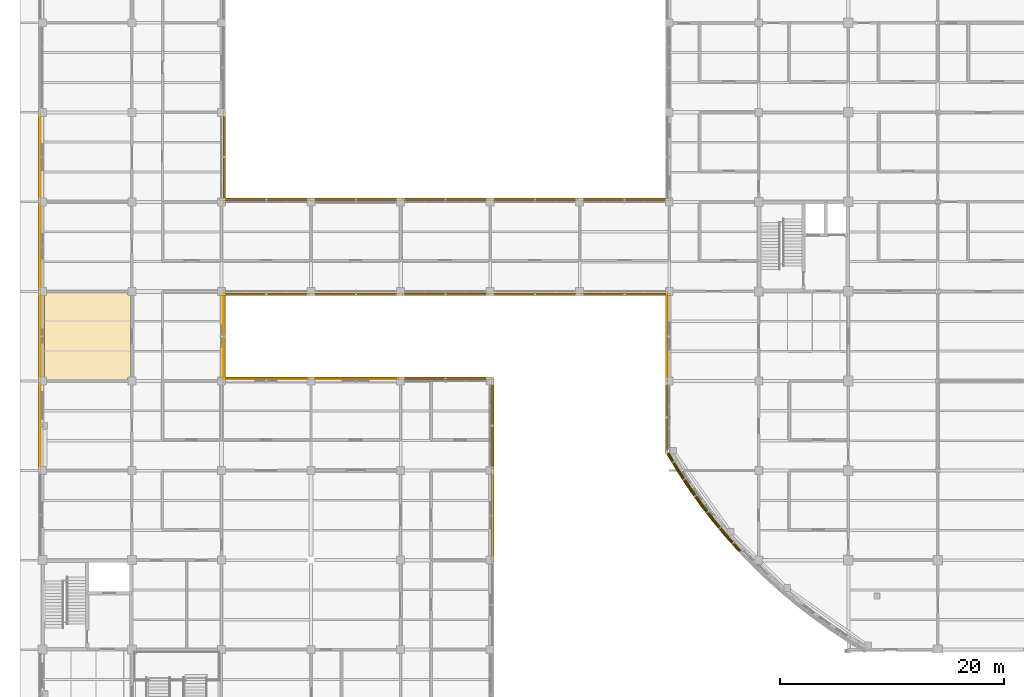
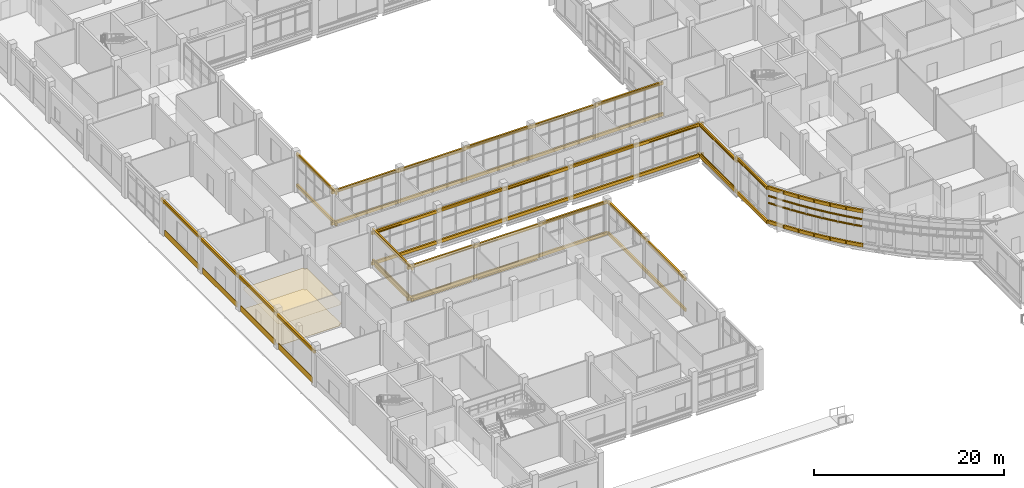
# One storey, part 93 of 105: 64 coverings, 35 shading devices.
"""IFC4 building model written with IfcOpenShell, lengths in metres."""

from ifc_helpers import new_model, si_unit, derived_unit, direction, frame, origin, origin_2d, place, context, subcontext, project, spatial, polyline, rectangle, circle, outline, extrude, material, layer, layer_set, material_profile, profile_set, type_object, element, save


model = new_model("IFC4")

# Units and contexts
model_context = context("Model", 3, precision=1e-05, world=origin(), true_north=direction((0.0, 1.0)))
body_context = subcontext(model_context, "Body", "Model", "MODEL_VIEW")
ifc_project = project(units=[si_unit("LENGTHUNIT", "METRE"), si_unit("AREAUNIT", "SQUARE_METRE"), si_unit("VOLUMEUNIT", "CUBIC_METRE"), si_unit("PLANEANGLEUNIT", "RADIAN"), si_unit("MASSUNIT", "GRAM", prefix="KILO"), derived_unit("THERMALTRANSMITTANCEUNIT", [(si_unit("MASSUNIT", "GRAM", prefix="KILO"), 1), (si_unit("TIMEUNIT", "SECOND"), -3), (si_unit("THERMODYNAMICTEMPERATUREUNIT", "KELVIN"), -1)])], contexts=[model_context])

# Site, building, storey
site_placement = place(None, origin())
site = spatial("IfcSite", under=ifc_project, at=site_placement, CompositionType="ELEMENT")
building_placement = place(site_placement, origin())
building = spatial("IfcBuilding", under=site, at=building_placement, Name="Veyamyaing Civic Hall", CompositionType="ELEMENT")
storey_placement = place(building_placement, origin())
storey = spatial("IfcBuildingStorey", under=building, at=storey_placement, Name="L00", CompositionType="ELEMENT", Elevation=0.0)

# Coverings
ifc_material_1 = material(Name="Buff sandstone ashlar cladding", Category="masonry")
ifc_layer_1 = layer(ifc_material_1, 0.050048828125, Name="Buff sandstone ashlar cladding")
ifc_layer_set_1 = layer_set([ifc_layer_1], Name="Buff sandstone ashlar cladding")
covering_type_1 = type_object("IfcCoveringType", Name="CL-01", PredefinedType="CLADDING", material=ifc_layer_set_1)
for number, where, z_axis, x_axis, name in (
    (1, (-0.180908203125, 36.0, 0.044921875), (0.0, 0.0, 1.0), (0.0, 1.0, 0.0), "Facade spandrel cladding CL-01 L00 W 1.5"),
    (2, (-0.160888671875, 44.0, 0.044921875), (0.0, 0.0, 1.0), (0.0, 1.0, 0.0), "Facade spandrel cladding CL-01 L00 W 1.6"),
    (3, (-0.160888671875, 52.0, 0.044921875), (0.0, 0.0, 1.0), (0.0, 1.0, 0.0), "Facade spandrel cladding CL-01 L00 W 1.7"),
    (4, (-0.160888671875, 60.0, 0.044921875), (0.0, 0.0, 1.0), (0.0, 1.0, 0.0), "Facade spandrel cladding CL-01 L00 W 1.8"),
    (5, (16.160888671875, 44.0, 0.044921875), (0.0, 0.0, 1.0), (0.0, 1.0, 0.0), "Facade spandrel cladding CL-01 L00 E 2.6"),
    (6, (20.0, 40.180908203125, 0.044921875), (0.0, 0.0, 1.0), (1.0, 0.0, 0.0), "Facade spandrel cladding CL-01 L00 N 3.5"),
    (7, (28.0, 40.180908203125, 0.044921875), (0.0, 0.0, 1.0), (1.0, 0.0, 0.0), "Facade spandrel cladding CL-01 L00 N 4.5"),
    (8, (55.826416015625, 44.0, 0.044921875), (0.0, 0.0, 1.0), (0.0, 1.0, 0.0), "Facade spandrel cladding CL-01 L00 W 8.6"),
):
    element("IfcCovering", number, at=place(storey_placement, frame(where, z_axis=z_axis, x_axis=x_axis)), inside=storey, type_object=covering_type_1, Name=name, PredefinedType="CLADDING", context=body_context, shape_type="SweptSolid", body=[
        extrude(rectangle(XDim=7.25, YDim=0.050048828125, at=origin_2d()), origin(), (0.0, 0.0, 1.0), 0.75),
    ])
ifc_material_2 = material(Name="White powder-coated aluminium 6063-T6", Category="aluminium")
ifc_layer_2 = layer(ifc_material_2, 0.2099609375, Name="White powder-coated aluminium 6063-T6")
ifc_layer_set_2 = layer_set([ifc_layer_2], Name="White powder-coated aluminium 6063-T6")
covering_type_2 = type_object("IfcCoveringType", Name="CL-03", PredefinedType="CLADDING", material=ifc_layer_set_2)
for number, where, z_axis, x_axis, name in (
    (9, (56.394775390625, 32.75927734375, 0.27001953125), (0.0, 0.0, 1.0), (0.516106513571, -0.856524411006, 0.0), "Continuous white corner ribbon CL-03 L00 SW.1.1"),
    (10, (56.394775390625, 32.75927734375, 4.64501953125), (0.0, 0.0, 1.0), (0.516106513571, -0.856524411006, 0.0), "Continuous white corner ribbon CL-03 L00 SW.1.2"),
    (11, (57.351318359375, 31.23681640625, 0.27001953125), (0.0, 0.0, 1.0), (0.547771714075, -0.836627843942, 0.0), "Continuous white corner ribbon CL-03 L00 SW.2.1"),
    (12, (57.351318359375, 31.23681640625, 4.64501953125), (0.0, 0.0, 1.0), (0.547771714075, -0.836627843942, 0.0), "Continuous white corner ribbon CL-03 L00 SW.2.2"),
    (13, (58.364013671875, 29.751708984375, 0.27001953125), (0.0, 0.0, 1.0), (0.578671161892, -0.815560964241, 0.0), "Continuous white corner ribbon CL-03 L00 SW.3.1"),
    (14, (58.364013671875, 29.751708984375, 4.64501953125), (0.0, 0.0, 1.0), (0.578671161892, -0.815560964241, 0.0), "Continuous white corner ribbon CL-03 L00 SW.3.2"),
    (15, (59.431396484375, 28.30517578125, 0.27001953125), (0.0, 0.0, 1.0), (0.608761490723, -0.793353292936, 0.0), "Continuous white corner ribbon CL-03 L00 SW.4.1"),
    (16, (59.431396484375, 28.30517578125, 4.64501953125), (0.0, 0.0, 1.0), (0.608761490723, -0.793353292936, 0.0), "Continuous white corner ribbon CL-03 L00 SW.4.2"),
    (17, (60.55224609375, 26.8994140625, 0.27001953125), (0.0, 0.0, 1.0), (0.638000405445, -0.770036026853, 0.0), "Continuous white corner ribbon CL-03 L00 SW.5.1"),
    (18, (60.55224609375, 26.8994140625, 4.64501953125), (0.0, 0.0, 1.0), (0.638000405445, -0.770036026853, 0.0), "Continuous white corner ribbon CL-03 L00 SW.5.2"),
    (19, (61.72509765625, 25.536865234375, 0.27001953125), (0.0, 0.0, 1.0), (0.666346529453, -0.745642208225, 0.0), "Continuous white corner ribbon CL-03 L00 SW.6.1"),
    (20, (61.72509765625, 25.536865234375, 4.64501953125), (0.0, 0.0, 1.0), (0.666346529453, -0.745642208225, 0.0), "Continuous white corner ribbon CL-03 L00 SW.6.2"),
):
    element("IfcCovering", number, at=place(storey_placement, frame(where, z_axis=z_axis, x_axis=x_axis)), inside=storey, type_object=covering_type_2, Name=name, PredefinedType="CLADDING", context=body_context, shape_type="SweptSolid", body=[
        extrude(rectangle(XDim=1.93505859375, YDim=0.2099609375, at=origin_2d()), origin(), (0.0, 0.0, 1.0), 0.419921875),
    ])
for number, where, z_axis, x_axis, name in (
    (21, (-0.239990234375, 36.0, 4.22998046875), (0.0, 0.0, 1.0), (0.0, 1.0, 0.0), "Continuous white head fascia ribbon CL-03 L00 W 1.5"),
    (22, (-0.239990234375, 44.0, 4.2939453125), (0.0, 0.0, 1.0), (0.0, 1.0, 0.0), "Continuous white head fascia ribbon CL-03 L00 W 1.6"),
    (23, (-0.239990234375, 52.0, 4.234130859375), (0.0, 0.0, 1.0), (0.0, 1.0, 0.0), "Continuous white head fascia ribbon CL-03 L00 W 1.7"),
    (24, (-0.239990234375, 60.0, 4.297119140625), (0.0, 0.0, 1.0), (0.0, 1.0, 0.0), "Continuous white head fascia ribbon CL-03 L00 W 1.8"),
    (25, (16.239990234375, 44.0, 4.297119140625), (0.0, 0.0, 1.0), (0.0, 1.0, 0.0), "Continuous white head fascia ribbon CL-03 L00 E 2.6"),
    (26, (16.239990234375, 44.0, 0.280029296875), (0.0, 0.0, 1.0), (0.0, 1.0, 0.0), "Continuous white sill fascia ribbon CL-03 L00 E 2.6"),
    (27, (16.239990234375, 60.0, 4.299072265625), (0.0, 0.0, 1.0), (0.0, 1.0, 0.0), "Continuous white head fascia ribbon CL-03 L00 E 2.8"),
    (28, (16.239990234375, 60.0, 0.280029296875), (0.0, 0.0, 1.0), (0.0, 1.0, 0.0), "Continuous white sill fascia ribbon CL-03 L00 E 2.8"),
    (29, (20.0, 40.239990234375, 4.297119140625), (0.0, 0.0, 1.0), (1.0, 0.0, 0.0), "Continuous white head fascia ribbon CL-03 L00 N 3.5"),
    (30, (20.0, 40.239990234375, 0.280029296875), (0.0, 0.0, 1.0), (1.0, 0.0, 0.0), "Continuous white sill fascia ribbon CL-03 L00 N 3.5"),
    (31, (20.0, 47.760009765625, 4.22998046875), (0.0, 0.0, 1.0), (1.0, 0.0, 0.0), "Continuous white head fascia ribbon CL-03 L00 S 3.7"),
    (32, (20.0, 47.760009765625, 0.280029296875), (0.0, 0.0, 1.0), (1.0, 0.0, 0.0), "Continuous white sill fascia ribbon CL-03 L00 S 3.7"),
    (33, (20.0, 56.239990234375, 4.2939453125), (0.0, 0.0, 1.0), (1.0, 0.0, 0.0), "Continuous white head fascia ribbon CL-03 L00 N 3.7"),
    (34, (20.0, 56.239990234375, 0.280029296875), (0.0, 0.0, 1.0), (1.0, 0.0, 0.0), "Continuous white sill fascia ribbon CL-03 L00 N 3.7"),
    (35, (28.0, 40.239990234375, 4.22998046875), (0.0, 0.0, 1.0), (1.0, 0.0, 0.0), "Continuous white head fascia ribbon CL-03 L00 N 4.5"),
    (36, (28.0, 40.239990234375, 0.280029296875), (0.0, 0.0, 1.0), (1.0, 0.0, 0.0), "Continuous white sill fascia ribbon CL-03 L00 N 4.5"),
    (37, (28.0, 47.760009765625, 4.2939453125), (0.0, 0.0, 1.0), (1.0, 0.0, 0.0), "Continuous white head fascia ribbon CL-03 L00 S 4.7"),
    (38, (28.0, 47.760009765625, 0.280029296875), (0.0, 0.0, 1.0), (1.0, 0.0, 0.0), "Continuous white sill fascia ribbon CL-03 L00 S 4.7"),
    (39, (28.0, 56.239990234375, 4.234130859375), (0.0, 0.0, 1.0), (1.0, 0.0, 0.0), "Continuous white head fascia ribbon CL-03 L00 N 4.7"),
    (40, (28.0, 56.239990234375, 0.280029296875), (0.0, 0.0, 1.0), (1.0, 0.0, 0.0), "Continuous white sill fascia ribbon CL-03 L00 N 4.7"),
    (41, (40.239990234375, 28.0, 4.22998046875), (0.0, 0.0, 1.0), (0.0, 1.0, 0.0), "Continuous white head fascia ribbon CL-03 L00 E 5.4"),
    (42, (40.239990234375, 28.0, 0.280029296875), (0.0, 0.0, 1.0), (0.0, 1.0, 0.0), "Continuous white sill fascia ribbon CL-03 L00 E 5.4"),
    (43, (36.0, 40.239990234375, 4.2939453125), (0.0, 0.0, 1.0), (1.0, 0.0, 0.0), "Continuous white head fascia ribbon CL-03 L00 N 5.5"),
    (44, (36.0, 40.239990234375, 0.280029296875), (0.0, 0.0, 1.0), (1.0, 0.0, 0.0), "Continuous white sill fascia ribbon CL-03 L00 N 5.5"),
    (45, (40.239990234375, 36.0, 4.2939453125), (0.0, 0.0, 1.0), (0.0, 1.0, 0.0), "Continuous white head fascia ribbon CL-03 L00 E 5.5"),
    (46, (40.239990234375, 36.0, 0.280029296875), (0.0, 0.0, 1.0), (0.0, 1.0, 0.0), "Continuous white sill fascia ribbon CL-03 L00 E 5.5"),
    (47, (36.0, 47.760009765625, 4.234130859375), (0.0, 0.0, 1.0), (1.0, 0.0, 0.0), "Continuous white head fascia ribbon CL-03 L00 S 5.7"),
    (48, (36.0, 47.760009765625, 0.280029296875), (0.0, 0.0, 1.0), (1.0, 0.0, 0.0), "Continuous white sill fascia ribbon CL-03 L00 S 5.7"),
    (49, (36.0, 56.239990234375, 4.297119140625), (0.0, 0.0, 1.0), (1.0, 0.0, 0.0), "Continuous white head fascia ribbon CL-03 L00 N 5.7"),
    (50, (36.0, 56.239990234375, 0.280029296875), (0.0, 0.0, 1.0), (1.0, 0.0, 0.0), "Continuous white sill fascia ribbon CL-03 L00 N 5.7"),
    (51, (44.0, 47.760009765625, 4.297119140625), (0.0, 0.0, 1.0), (1.0, 0.0, 0.0), "Continuous white head fascia ribbon CL-03 L00 S 6.7"),
    (52, (44.0, 47.760009765625, 0.280029296875), (0.0, 0.0, 1.0), (1.0, 0.0, 0.0), "Continuous white sill fascia ribbon CL-03 L00 S 6.7"),
    (53, (44.0, 56.239990234375, 4.22998046875), (0.0, 0.0, 1.0), (1.0, 0.0, 0.0), "Continuous white head fascia ribbon CL-03 L00 N 6.7"),
    (54, (44.0, 56.239990234375, 0.280029296875), (0.0, 0.0, 1.0), (1.0, 0.0, 0.0), "Continuous white sill fascia ribbon CL-03 L00 N 6.7"),
    (55, (52.0, 47.760009765625, 4.22998046875), (0.0, 0.0, 1.0), (1.0, 0.0, 0.0), "Continuous white head fascia ribbon CL-03 L00 S 7.7"),
    (56, (52.0, 47.760009765625, 0.280029296875), (0.0, 0.0, 1.0), (1.0, 0.0, 0.0), "Continuous white sill fascia ribbon CL-03 L00 S 7.7"),
    (57, (52.0, 56.239990234375, 4.2939453125), (0.0, 0.0, 1.0), (1.0, 0.0, 0.0), "Continuous white head fascia ribbon CL-03 L00 N 7.7"),
    (58, (52.0, 56.239990234375, 0.280029296875), (0.0, 0.0, 1.0), (1.0, 0.0, 0.0), "Continuous white sill fascia ribbon CL-03 L00 N 7.7"),
):
    element("IfcCovering", number, at=place(storey_placement, frame(where, z_axis=z_axis, x_axis=x_axis)), inside=storey, type_object=covering_type_2, Name=name, PredefinedType="CLADDING", context=body_context, shape_type="SweptSolid", body=[
        extrude(rectangle(XDim=8.360107421875, YDim=0.2099609375, at=origin_2d()), origin(), (0.0, 0.0, 1.0), 0.39990234375),
    ])
for number, where, z_axis, x_axis, name in (
    (59, (55.760009765625, 36.78466796875, 4.655029296875), (0.0, 0.0, 1.0), (0.0, 1.0, 0.0), "Continuous white head fascia ribbon CL-03 L00 W 8.5"),
    (60, (55.760009765625, 36.78466796875, 0.280029296875), (0.0, 0.0, 1.0), (0.0, 1.0, 0.0), "Continuous white sill fascia ribbon CL-03 L00 W 8.5"),
):
    element("IfcCovering", number, at=place(storey_placement, frame(where, z_axis=z_axis, x_axis=x_axis)), inside=storey, type_object=covering_type_2, Name=name, PredefinedType="CLADDING", context=body_context, shape_type="SweptSolid", body=[
        extrude(rectangle(XDim=6.55078125, YDim=0.2099609375, at=origin_2d()), origin(), (0.0, 0.0, 1.0), 0.39990234375),
    ])
for number, where, z_axis, x_axis, name in (
    (61, (55.760009765625, 44.0, 4.22998046875), (0.0, 0.0, 1.0), (0.0, 1.0, 0.0), "Continuous white head fascia ribbon CL-03 L00 W 8.6"),
    (62, (55.760009765625, 44.0, 0.280029296875), (0.0, 0.0, 1.0), (0.0, 1.0, 0.0), "Continuous white sill fascia ribbon CL-03 L00 W 8.6"),
):
    element("IfcCovering", number, at=place(storey_placement, frame(where, z_axis=z_axis, x_axis=x_axis)), inside=storey, type_object=covering_type_2, Name=name, PredefinedType="CLADDING", context=body_context, shape_type="SweptSolid", body=[
        extrude(rectangle(XDim=8.1201171875, YDim=0.2099609375, at=origin_2d()), origin(), (0.0, 0.0, 1.0), 0.39990234375),
    ])
ifc_material_3 = material(Name="Perforated acoustic gypsum ceiling board")
ifc_layer_3 = layer(ifc_material_3, 0.02490234375, Name="Perforated acoustic gypsum ceiling board")
ifc_layer_set_3 = layer_set([ifc_layer_3], Name="Perforated acoustic gypsum ceiling board")
covering_type_3 = type_object("IfcCoveringType", Name="CLG-01", PredefinedType="CEILING", material=ifc_layer_set_3)
covering_1_placement = place(storey_placement, frame((0.0, 0.0, 2.699951171875)))
element("IfcCovering", 63, at=covering_1_placement, inside=storey, type_object=covering_type_3, Name="Acoustic suspended ceiling CLG-01 L00-H04", PredefinedType="CEILING", context=body_context, shape_type="SweptSolid", body=[
    extrude(outline(polyline([(0.3349609375, 47.905029296875), (7.6650390625, 47.905029296875), (7.6650390625, 47.6650390625), (7.905029296875, 47.6650390625), (7.905029296875, 40.3349609375), (7.6650390625, 40.3349609375), (7.6650390625, 40.094970703125), (0.3349609375, 40.094970703125), (0.3349609375, 40.3349609375), (0.155029296875, 40.3349609375), (0.155029296875, 47.6650390625), (0.3349609375, 47.6650390625), (0.3349609375, 47.905029296875)])), origin(), (0.0, 0.0, 1.0), 0.025146484375),
])
ifc_material_4 = material(Name="Polished Mandalay marble and terrazzo flooring", Category="masonry")
ifc_layer_4 = layer(ifc_material_4, 0.030029296875, Name="Polished Mandalay marble and terrazzo flooring")
ifc_layer_set_4 = layer_set([ifc_layer_4], Name="Polished Mandalay marble and terrazzo flooring")
covering_type_4 = type_object("IfcCoveringType", Name="FLR-01", PredefinedType="FLOORING", material=ifc_layer_set_4)
covering_2_placement = place(storey_placement, origin())
element("IfcCovering", 64, at=covering_2_placement, inside=storey, type_object=covering_type_4, Name="Stone and terrazzo flooring FLR-01 L00-H04", PredefinedType="FLOORING", context=body_context, shape_type="SweptSolid", body=[
    extrude(outline(polyline([(0.360107421875, 47.8798828125), (7.639892578125, 47.8798828125), (7.639892578125, 47.639892578125), (7.8798828125, 47.639892578125), (7.8798828125, 40.360107421875), (7.639892578125, 40.360107421875), (7.639892578125, 40.1201171875), (0.360107421875, 40.1201171875), (0.360107421875, 40.360107421875), (0.179931640625, 40.360107421875), (0.179931640625, 47.639892578125), (0.360107421875, 47.639892578125), (0.360107421875, 47.8798828125)])), origin(), (0.0, 0.0, 1.0), 0.030029296875),
])

# Shading devices
ifc_material_profile_1 = material_profile(ifc_material_2, circle(Radius=0.110107421875, at=origin_2d()), Name="SHADE-TUBE-220")
ifc_profile_set_1 = profile_set([ifc_material_profile_1], Name="White powder-coated aluminium 6063-T6")
shading_device_type_1 = type_object("IfcShadingDeviceType", Name="SH-01", PredefinedType="USERDEFINED", material=ifc_profile_set_1)
for number, where, z_axis, x_axis, name in (
    (65, (55.863037109375, 33.486572265625, 2.949951171875), (0.51607516088, -0.856543302071, 0.0), (0.856543302071, 0.51607516088, 0.0), "White corner sunshade ribbon SH-01 L00 SW.1.1"),
    (66, (55.863037109375, 33.486572265625, 3.85009765625), (0.51607516088, -0.856543302071, 0.0), (0.856543302071, 0.51607516088, 0.0), "White corner sunshade ribbon SH-01 L00 SW.1.2"),
):
    element("IfcShadingDevice", number, at=place(storey_placement, frame(where, z_axis=z_axis, x_axis=x_axis)), inside=storey, type_object=shading_device_type_1, Name=name, ObjectType="SUNSHADE", PredefinedType="USERDEFINED", context=body_context, shape_type="SweptSolid", body=[
        extrude(circle(Radius=0.110107421875, at=origin_2d()), origin(), (0.0, 0.0, 1.0), 1.794921875),
    ])
for number, where, z_axis, x_axis, name in (
    (67, (56.79248046875, 31.944091796875, 2.949951171875), (0.547776876079, -0.836624464161, 0.0), (0.836624464161, 0.547776876079, 0.0), "White corner sunshade ribbon SH-01 L00 SW.2.1"),
    (68, (56.79248046875, 31.944091796875, 3.85009765625), (0.547776876079, -0.836624464161, 0.0), (0.836624464161, 0.547776876079, 0.0), "White corner sunshade ribbon SH-01 L00 SW.2.2"),
):
    element("IfcShadingDevice", number, at=place(storey_placement, frame(where, z_axis=z_axis, x_axis=x_axis)), inside=storey, type_object=shading_device_type_1, Name=name, ObjectType="SUNSHADE", PredefinedType="USERDEFINED", context=body_context, shape_type="SweptSolid", body=[
        extrude(circle(Radius=0.110107421875, at=origin_2d()), origin(), (0.0, 0.0, 1.0), 1.795166015625),
    ])
for number, where, z_axis, x_axis, name in (
    (69, (57.779296875, 30.437255859375, 2.949951171875), (0.578726580586, -0.815521639764, 0.0), (0.815521639764, 0.578726580586, 0.0), "White corner sunshade ribbon SH-01 L00 SW.3.1"),
    (70, (57.779296875, 30.437255859375, 3.85009765625), (0.578726580586, -0.815521639764, 0.0), (0.815521639764, 0.578726580586, 0.0), "White corner sunshade ribbon SH-01 L00 SW.3.2"),
):
    element("IfcShadingDevice", number, at=place(storey_placement, frame(where, z_axis=z_axis, x_axis=x_axis)), inside=storey, type_object=shading_device_type_1, Name=name, ObjectType="SUNSHADE", PredefinedType="USERDEFINED", context=body_context, shape_type="SweptSolid", body=[
        extrude(circle(Radius=0.110107421875, at=origin_2d()), origin(), (0.0, 0.0, 1.0), 1.794921875),
    ])
for number, where, z_axis, x_axis, name in (
    (71, (58.821533203125, 28.968505859375, 2.949951171875), (0.608711298549, -0.79339180423, 0.0), (0.79339180423, 0.608711298549, 0.0), "White corner sunshade ribbon SH-01 L00 SW.4.1"),
    (72, (58.821533203125, 28.968505859375, 3.85009765625), (0.608711298549, -0.79339180423, 0.0), (0.79339180423, 0.608711298549, 0.0), "White corner sunshade ribbon SH-01 L00 SW.4.2"),
    (73, (59.918212890625, 27.53955078125, 2.949951171875), (0.637987912111, -0.770046377824, 0.0), (0.770046377824, 0.637987912111, 0.0), "White corner sunshade ribbon SH-01 L00 SW.5.1"),
    (74, (59.918212890625, 27.53955078125, 3.85009765625), (0.637987912111, -0.770046377824, 0.0), (0.770046377824, 0.637987912111, 0.0), "White corner sunshade ribbon SH-01 L00 SW.5.2"),
    (75, (61.0673828125, 26.15283203125, 2.949951171875), (0.666277888361, -0.745703543965, 0.0), (0.745703543965, 0.666277888361, 0.0), "White corner sunshade ribbon SH-01 L00 SW.6.1"),
    (76, (61.0673828125, 26.15283203125, 3.85009765625), (0.666277888361, -0.745703543965, 0.0), (0.745703543965, 0.666277888361, 0.0), "White corner sunshade ribbon SH-01 L00 SW.6.2"),
):
    element("IfcShadingDevice", number, at=place(storey_placement, frame(where, z_axis=z_axis, x_axis=x_axis)), inside=storey, type_object=shading_device_type_1, Name=name, ObjectType="SUNSHADE", PredefinedType="USERDEFINED", context=body_context, shape_type="SweptSolid", body=[
        extrude(circle(Radius=0.110107421875, at=origin_2d()), origin(), (0.0, 0.0, 1.0), 1.795166015625),
    ])
shading_device_1_placement = place(storey_placement, frame((55.760009765625, 33.854248046875, 4.81494140625), z_axis=(0.0, 1.0, 0.0), x_axis=(-1.0, 0.0, 0.0)))
element("IfcShadingDevice", 77, at=shading_device_1_placement, inside=storey, type_object=shading_device_type_1, Name="Horizontal white sunshade ribbon SH-01 L00 W 8.5", ObjectType="SUNSHADE", PredefinedType="USERDEFINED", context=body_context, shape_type="SweptSolid", body=[
    extrude(circle(Radius=0.110107421875, at=origin_2d()), origin(), (0.0, 0.0, 1.0), 5.810791015625),
])
shading_device_2_placement = place(storey_placement, frame((55.760009765625, 40.3349609375, 4.389892578125), z_axis=(0.0, 1.0, 0.0), x_axis=(-1.0, 0.0, 0.0)))
element("IfcShadingDevice", 78, at=shading_device_2_placement, inside=storey, type_object=shading_device_type_1, Name="Horizontal white sunshade ribbon SH-01 L00 W 8.6", ObjectType="SUNSHADE", PredefinedType="USERDEFINED", context=body_context, shape_type="SweptSolid", body=[
    extrude(circle(Radius=0.110107421875, at=origin_2d()), origin(), (0.0, 0.0, 1.0), 7.330078125),
])
ifc_material_profile_2 = material_profile(ifc_material_2, circle(Radius=0.090087890625, at=origin_2d()), Name="SHADE-TUBE-180")
ifc_profile_set_2 = profile_set([ifc_material_profile_2], Name="White powder-coated aluminium 6063-T6")
shading_device_type_2 = type_object("IfcShadingDeviceType", Name="SH-02", PredefinedType="USERDEFINED", material=ifc_profile_set_2)
for number, where, z_axis, x_axis, name in (
    (79, (-0.239990234375, 32.3349609375, 4.389892578125), (0.0, 1.0, 0.0), (-1.0, 0.0, 0.0), "Horizontal white sunshade ribbon SH-02 L00 W 1.5"),
    (80, (-0.239990234375, 40.3349609375, 4.4541015625), (0.0, 1.0, 0.0), (-1.0, 0.0, 0.0), "Horizontal white sunshade ribbon SH-02 L00 W 1.6"),
    (81, (-0.239990234375, 48.3349609375, 4.39404296875), (0.0, 1.0, 0.0), (-1.0, 0.0, 0.0), "Horizontal white sunshade ribbon SH-02 L00 W 1.7"),
    (82, (-0.239990234375, 56.3349609375, 4.45703125), (0.0, 1.0, 0.0), (-1.0, 0.0, 0.0), "Horizontal white sunshade ribbon SH-02 L00 W 1.8"),
    (83, (16.239990234375, 40.3349609375, 4.45703125), (0.0, 1.0, 0.0), (-1.0, 0.0, 0.0), "Horizontal white sunshade ribbon SH-02 L00 E 2.6"),
    (84, (16.239990234375, 56.3349609375, 4.458984375), (0.0, 1.0, 0.0), (-1.0, 0.0, 0.0), "Horizontal white sunshade ribbon SH-02 L00 E 2.8"),
    (85, (16.3349609375, 40.239990234375, 4.45703125), (1.0, 0.0, 0.0), (0.0, 1.0, 0.0), "Horizontal white sunshade ribbon SH-02 L00 N 3.5"),
    (86, (16.3349609375, 47.760009765625, 4.389892578125), (1.0, 0.0, 0.0), (0.0, 1.0, 0.0), "Horizontal white sunshade ribbon SH-02 L00 S 3.7"),
    (87, (16.3349609375, 56.239990234375, 4.4541015625), (1.0, 0.0, 0.0), (0.0, 1.0, 0.0), "Horizontal white sunshade ribbon SH-02 L00 N 3.7"),
    (88, (24.3349609375, 40.239990234375, 4.389892578125), (1.0, 0.0, 0.0), (0.0, 1.0, 0.0), "Horizontal white sunshade ribbon SH-02 L00 N 4.5"),
    (89, (24.3349609375, 47.760009765625, 4.4541015625), (1.0, 0.0, 0.0), (0.0, 1.0, 0.0), "Horizontal white sunshade ribbon SH-02 L00 S 4.7"),
    (90, (24.3349609375, 56.239990234375, 4.39404296875), (1.0, 0.0, 0.0), (0.0, 1.0, 0.0), "Horizontal white sunshade ribbon SH-02 L00 N 4.7"),
    (91, (40.239990234375, 24.3349609375, 4.389892578125), (0.0, 1.0, 0.0), (-1.0, 0.0, 0.0), "Horizontal white sunshade ribbon SH-02 L00 E 5.4"),
    (92, (32.3349609375, 40.239990234375, 4.4541015625), (1.0, 0.0, 0.0), (0.0, 1.0, 0.0), "Horizontal white sunshade ribbon SH-02 L00 N 5.5"),
    (93, (40.239990234375, 32.3349609375, 4.4541015625), (0.0, 1.0, 0.0), (-1.0, 0.0, 0.0), "Horizontal white sunshade ribbon SH-02 L00 E 5.5"),
    (94, (32.3349609375, 47.760009765625, 4.39404296875), (1.0, 0.0, 0.0), (0.0, 1.0, 0.0), "Horizontal white sunshade ribbon SH-02 L00 S 5.7"),
    (95, (32.3349609375, 56.239990234375, 4.45703125), (1.0, 0.0, 0.0), (0.0, 1.0, 0.0), "Horizontal white sunshade ribbon SH-02 L00 N 5.7"),
    (96, (40.3349609375, 47.760009765625, 4.45703125), (1.0, 0.0, 0.0), (0.0, 1.0, 0.0), "Horizontal white sunshade ribbon SH-02 L00 S 6.7"),
    (97, (40.3349609375, 56.239990234375, 4.389892578125), (1.0, 0.0, 0.0), (0.0, 1.0, 0.0), "Horizontal white sunshade ribbon SH-02 L00 N 6.7"),
    (98, (48.3349609375, 47.760009765625, 4.389892578125), (1.0, 0.0, 0.0), (0.0, 1.0, 0.0), "Horizontal white sunshade ribbon SH-02 L00 S 7.7"),
    (99, (48.3349609375, 56.239990234375, 4.4541015625), (1.0, 0.0, 0.0), (0.0, 1.0, 0.0), "Horizontal white sunshade ribbon SH-02 L00 N 7.7"),
):
    element("IfcShadingDevice", number, at=place(storey_placement, frame(where, z_axis=z_axis, x_axis=x_axis)), inside=storey, type_object=shading_device_type_2, Name=name, ObjectType="SUNSHADE", PredefinedType="USERDEFINED", context=body_context, shape_type="SweptSolid", body=[
        extrude(circle(Radius=0.090087890625, at=origin_2d()), origin(), (0.0, 0.0, 1.0), 7.330078125),
    ])

save(model, "model.ifc")
